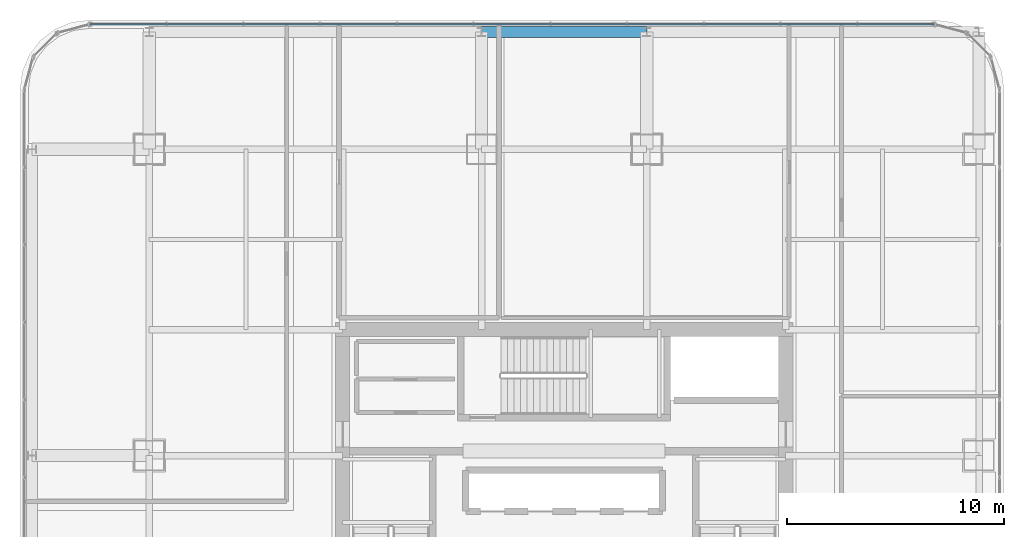
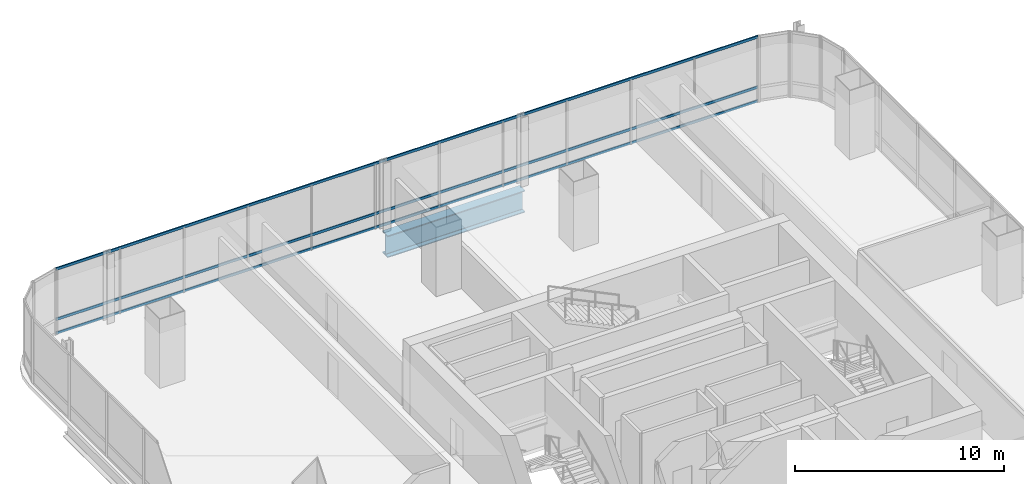
# One storey, part 24 of 37: 3 members, 1 beam, 1 element without a shape of its own.
"""IFC4 building model written with IfcOpenShell, lengths in metres."""

import ifcopenshell
import ifcopenshell.guid

model = None  # the IFC model being written
_history = None  # IfcOwnerHistory: only IFC2X3 demands one
_inside = {}  # id of a spatial element -> (the spatial element, [elements in it])
_under = {}  # id of a project, library or spatial element -> (it, [spatial elements below it])
_declared = {}  # id of a project -> (the project, [libraries it declares])
_typed = {}  # id of a type object -> (the type object, [elements of that type])
_made_of = {}  # id of a material, layer set ... -> (it, [elements and type objects made of it])


def new_model(schema):
    """Start an empty IFC model of exactly this schema.

    Asked for "IFC4X3", IfcOpenShell would pick the latest addendum, in which some entities
    have other attributes; the version numbers below select the first issue.
    IFC2X3 requires an IfcOwnerHistory on every rooted entity: one is made here for all.
    """
    global model, _history
    if schema == "IFC4X3":
        model = ifcopenshell.file(schema_version=(4, 3, 0, 0))
    else:
        model = ifcopenshell.file(schema=schema)
    _inside.clear()
    _under.clear()
    _declared.clear()
    _typed.clear()
    _made_of.clear()
    _history = None
    if model.schema == "IFC2X3":
        org = make("IfcOrganization", Name="unknown")
        user = make(
            "IfcPersonAndOrganization",
            ThePerson=make("IfcPerson", FamilyName="unknown"),
            TheOrganization=org,
        )
        app = make(
            "IfcApplication",
            ApplicationDeveloper=org,
            Version="unknown",
            ApplicationFullName="unknown",
            ApplicationIdentifier="unknown",
        )
        _history = make(
            "IfcOwnerHistory",
            OwningUser=user,
            OwningApplication=app,
            ChangeAction="ADDED",
            CreationDate=0,
        )
    return model


def make(cls, **values):
    """One entity of the class cls with the attributes given. An attribute that is None is left unset."""
    return model.create_entity(
        cls, **{name: value for name, value in values.items() if value is not None}
    )


def rooted(cls, **values):
    """An entity with a GlobalId (a new one), such as an element, a storey or a relation."""
    return make(cls, GlobalId=ifcopenshell.guid.new(), OwnerHistory=_history, **values)


def si_unit(unit_type, name, prefix=None):
    """IfcSIUnit, for example si_unit("LENGTHUNIT", "METRE", prefix="MILLI")."""
    return make("IfcSIUnit", UnitType=unit_type, Prefix=prefix, Name=name)


def assignment(units):
    """IfcUnitAssignment: the units of a project."""
    return None if units is None else make("IfcUnitAssignment", Units=units)


def point(xyz):
    """IfcCartesianPoint."""
    return None if xyz is None else make("IfcCartesianPoint", Coordinates=xyz)


def direction(xyz):
    """IfcDirection."""
    return None if xyz is None else make("IfcDirection", DirectionRatios=xyz)


def frame(location, z_axis=None, x_axis=None):
    """IfcAxis2Placement3D, a coordinate frame: its origin and axes. An axis left out is left unset."""
    return make(
        "IfcAxis2Placement3D",
        Location=point(location),
        Axis=direction(z_axis),
        RefDirection=direction(x_axis),
    )


def frame_2d(location, x_axis=None):
    """IfcAxis2Placement2D, a coordinate frame in the plane: its origin and x axis."""
    return make(
        "IfcAxis2Placement2D", Location=point(location), RefDirection=direction(x_axis)
    )


def origin():
    """The frame at (0, 0, 0) with its axes left unset."""
    return frame((0.0, 0.0, 0.0))


def origin_2d():
    """The frame at (0, 0) in the plane with its x axis left unset."""
    return frame_2d((0.0, 0.0))


def place(relative_to, where):
    """IfcLocalPlacement: puts the frame where relative to a parent placement (None: the world)."""
    return make(
        "IfcLocalPlacement", PlacementRelTo=relative_to, RelativePlacement=where
    )


def context(
    kind, dimensions, precision=None, world=None, true_north=None, identifier=None
):
    """IfcGeometricRepresentationContext, for example the 3D "Model" context."""
    return make(
        "IfcGeometricRepresentationContext",
        ContextIdentifier=identifier,
        ContextType=kind,
        CoordinateSpaceDimension=dimensions,
        Precision=precision,
        WorldCoordinateSystem=world,
        TrueNorth=true_north,
    )


def subcontext(parent, identifier, kind, view, scale=None):
    """IfcGeometricRepresentationSubContext, for example "Body" below "Model"."""
    return make(
        "IfcGeometricRepresentationSubContext",
        ContextIdentifier=identifier,
        ContextType=kind,
        ParentContext=parent,
        TargetScale=scale,
        TargetView=view,
    )


def project(units=None, contexts=None):
    """IfcProject with its units and contexts."""
    return rooted(
        "IfcProject",
        Name="project",
        RepresentationContexts=contexts,
        UnitsInContext=assignment(units),
    )


def spatial(cls, under=None, at=None, **own):
    """A site, building, storey or space (cls), placed at a placement, below another one or the project."""
    s = rooted(cls, ObjectPlacement=at, **own)
    if under is not None:
        _under.setdefault(under.id(), (under, []))[1].append(s)
    return s


def profile(cls, at=None, kind="AREA", **sizes):
    """A parametric profile (cls). Its sizes go by their IFC names, for example OverallWidth=200.0."""
    return make(cls, ProfileType=kind, Position=at, **sizes)


def hollow_rectangle(**sizes):
    """IfcRectangleHollowProfileDef."""
    return profile("IfcRectangleHollowProfileDef", **sizes)


def i_section(**sizes):
    """IfcIShapeProfileDef."""
    return profile("IfcIShapeProfileDef", **sizes)


def extrude(swept, where, along, depth):
    """IfcExtrudedAreaSolid: the profile swept, set in the frame where, extruded along a direction by depth."""
    return make(
        "IfcExtrudedAreaSolid",
        SweptArea=swept,
        Position=where,
        ExtrudedDirection=direction(along),
        Depth=depth,
    )


def shape(context_of_items, identifier, shape_type, items):
    """IfcShapeRepresentation: the items that make up one representation, for example the "Body"."""
    return make(
        "IfcShapeRepresentation",
        ContextOfItems=context_of_items,
        RepresentationIdentifier=identifier,
        RepresentationType=shape_type,
        Items=items,
    )


def material(Name=None, Category=None):
    """IfcMaterial."""
    return make("IfcMaterial", Name=Name, Category=Category)


def material_profile(
    of_material, cross_section, Name=None, Category=None, Priority=None
):
    """IfcMaterialProfile: a cross section and its material."""
    return make(
        "IfcMaterialProfile",
        Name=Name,
        Material=of_material,
        Profile=cross_section,
        Priority=Priority,
        Category=Category,
    )


def profile_set(profiles, Name=None, composite=None):
    """IfcMaterialProfileSet."""
    return make(
        "IfcMaterialProfileSet",
        Name=Name,
        MaterialProfiles=profiles,
        CompositeProfile=composite,
    )


def made_of(thing, what):
    """Note that an element or type object is made of a material, layer set ...; save() writes the relation."""
    if what is not None:
        _made_of.setdefault(what.id(), (what, []))[1].append(thing)
    return thing


def type_object(cls, material=None, **own):
    """A type object (cls), such as IfcWallType, which elements share."""
    return made_of(rooted(cls, **own), material)


def element(
    cls,
    number,
    at=None,
    inside=None,
    cuts=None,
    type_object=None,
    material=None,
    context=None,
    identifier="Body",
    shape_type=None,
    held_by="IfcProductDefinitionShape",
    body=None,
    shapes=None,
    **own,
):
    """One element of the class cls, such as IfcWall. Its Tag is "e" and its number.

    at: its placement. inside: the storey or other place that contains it. cuts: it is an
    opening in that element (IfcRelVoidsElement). A single representation is given by context,
    identifier, shape_type and body (its items); several are given by shapes. held_by: the class
    of the entity that holds the representations. save() writes the other relations.
    """
    e = rooted(cls, Tag="e%d" % number, ObjectPlacement=at, **own)
    if body is not None:
        shapes = [shape(context, identifier, shape_type, body)]
    if shapes is not None:
        e.Representation = make(held_by, Representations=shapes)
    if inside is not None:
        _inside.setdefault(inside.id(), (inside, []))[1].append(e)
    if cuts is not None:
        rooted(
            "IfcRelVoidsElement", RelatingBuildingElement=cuts, RelatedOpeningElement=e
        )
    if type_object is not None:
        _typed.setdefault(type_object.id(), (type_object, []))[1].append(e)
    return made_of(e, material)


def aggregate(whole, parts):
    """IfcRelAggregates: a whole, such as a stair, and the parts it consists of."""
    return rooted("IfcRelAggregates", RelatingObject=whole, RelatedObjects=parts)


def save(model, path):
    """Write the relations noted so far, then the file.

    IfcRelAggregates (storeys below a building ...), IfcRelContainedInSpatialStructure (elements
    in a storey), IfcRelDefinesByType, IfcRelAssociatesMaterial and IfcRelDeclares: one each for
    every whole, place, type object, material and project.
    """
    for whole, parts in _under.values():
        aggregate(whole, parts)
    for where, things in _inside.values():
        rooted(
            "IfcRelContainedInSpatialStructure",
            RelatedElements=things,
            RelatingStructure=where,
        )
    for kind, things in _typed.values():
        rooted("IfcRelDefinesByType", RelatedObjects=things, RelatingType=kind)
    for what, things in _made_of.values():
        rooted("IfcRelAssociatesMaterial", RelatedObjects=things, RelatingMaterial=what)
    for by, libraries in _declared.values():
        rooted("IfcRelDeclares", RelatingContext=by, RelatedDefinitions=libraries)
    model.write(path)


model = new_model("IFC4")

# Units and contexts
model_context = context("Model", 3, precision=1e-05, world=origin(), true_north=direction((0.0, 1.0)))
body_context = subcontext(model_context, "Body", "Model", "MODEL_VIEW")
ifc_project = project(units=[si_unit("LENGTHUNIT", "METRE"), si_unit("AREAUNIT", "SQUARE_METRE"), si_unit("VOLUMEUNIT", "CUBIC_METRE"), si_unit("PLANEANGLEUNIT", "RADIAN"), si_unit("MASSUNIT", "GRAM", prefix="KILO")], contexts=[model_context])

# Site, building, storey
site_placement = place(None, origin())
site = spatial("IfcSite", under=ifc_project, at=site_placement, CompositionType="ELEMENT")
building_placement = place(site_placement, origin())
building = spatial("IfcBuilding", under=site, at=building_placement, Name="Punatoya Terracotta Tower", CompositionType="ELEMENT")
storey_placement = place(building_placement, frame((0.0, 0.0, 164.10009765625)))
storey = spatial("IfcBuildingStorey", under=building, at=storey_placement, Name="L38", CompositionType="ELEMENT", Elevation=164.10009765625)

# Beam
ifc_material_1 = material(Name="Steel S460", Category="steel")
ifc_material_profile_1 = material_profile(ifc_material_1, i_section(OverallWidth=0.52001953125, OverallDepth=1.280029296875, WebThickness=0.031982421875, FlangeThickness=0.050048828125, FilletRadius=0.01806640625, at=origin_2d()))
ifc_profile_set_1 = profile_set([ifc_material_profile_1], Name="Steel S460")
beam_type = type_object("IfcBeamType", Name="BM-TG-NCK", PredefinedType="BEAM", material=ifc_profile_set_1)
beam_placement = place(storey_placement, frame((-3.800048828125, 22.89990234375, -0.860107421875), z_axis=(1.0, 0.0, 0.0), x_axis=(0.0, 1.0, 0.0)))
element("IfcBeam", 1, at=beam_placement, inside=storey, type_object=beam_type, Name="BM-L38-PER-N2", PredefinedType="BEAM", context=body_context, shape_type="SweptSolid", body=[
    extrude(i_section(OverallWidth=0.52001953125, OverallDepth=1.280029296875, WebThickness=0.031982421875, FlangeThickness=0.050048828125, FilletRadius=0.01806640625, at=origin_2d()), origin(), (0.0, 0.0, 1.0), 7.60009765625),
])

# Curtain wall, members
ifc_material_2 = material(Name="Aluminium 6063-T6 + Double Low-E Glass", Category="aluminium")
curtain_wall_type = type_object("IfcCurtainWallType", Name="CW-M2", PredefinedType="NOTDEFINED", material=ifc_material_2)
curtain_wall_placement = place(storey_placement, origin())
curtain_wall = element("IfcCurtainWall", 2, at=curtain_wall_placement, inside=storey, type_object=curtain_wall_type, Name="L38 Curtain Wall CW-L38-N09-1", PredefinedType="NOTDEFINED")
ifc_material_3 = material(Name="Aluminium 6063-T6", Category="aluminium")
ifc_material_profile_2 = material_profile(ifc_material_3, hollow_rectangle(XDim=0.068115234375, YDim=0.14990234375, WallThickness=0.00390625, at=origin_2d()))
ifc_profile_set_2 = profile_set([ifc_material_profile_2], Name="Aluminium 6063-T6")
member_type = type_object("IfcMemberType", Name="CW-TRN-TYP", PredefinedType="USERDEFINED", material=ifc_profile_set_2)
member_1_placement = place(storey_placement, frame((17.036865234375, 23.25, 0.039794921875), z_axis=(-1.0, 0.0, 0.0), x_axis=(0.0, -1.0, 0.0)))
member_1 = element("IfcMember", 3, at=member_1_placement, type_object=member_type, Name="CW-L38-N09-1 Transom 1", ObjectType="TRANSOM", PredefinedType="USERDEFINED", context=body_context, shape_type="SweptSolid", body=[
    extrude(hollow_rectangle(XDim=0.068115234375, YDim=0.14990234375, WallThickness=0.00390625, at=origin_2d()), origin(), (0.0, 0.0, 1.0), 38.873779296875),
])
member_2_placement = place(storey_placement, frame((17.036865234375, 23.25, 0.849853515625), z_axis=(-1.0, 0.0, 0.0), x_axis=(0.0, -1.0, 0.0)))
member_2 = element("IfcMember", 4, at=member_2_placement, type_object=member_type, Name="CW-L38-N09-1 Transom 2", ObjectType="TRANSOM", PredefinedType="USERDEFINED", context=body_context, shape_type="SweptSolid", body=[
    extrude(hollow_rectangle(XDim=0.068115234375, YDim=0.14990234375, WallThickness=0.00390625, at=origin_2d()), origin(), (0.0, 0.0, 1.0), 38.873779296875),
])
member_3_placement = place(storey_placement, frame((17.036865234375, 23.25, 3.789794921875), z_axis=(-1.0, 0.0, 0.0), x_axis=(0.0, -1.0, 0.0)))
member_3 = element("IfcMember", 5, at=member_3_placement, type_object=member_type, Name="CW-L38-N09-1 Transom 3", ObjectType="TRANSOM", PredefinedType="USERDEFINED", context=body_context, shape_type="SweptSolid", body=[
    extrude(hollow_rectangle(XDim=0.068115234375, YDim=0.14990234375, WallThickness=0.00390625, at=origin_2d()), origin(), (0.0, 0.0, 1.0), 38.873779296875),
])
aggregate(curtain_wall, [member_1, member_2, member_3])

save(model, "model.ifc")
